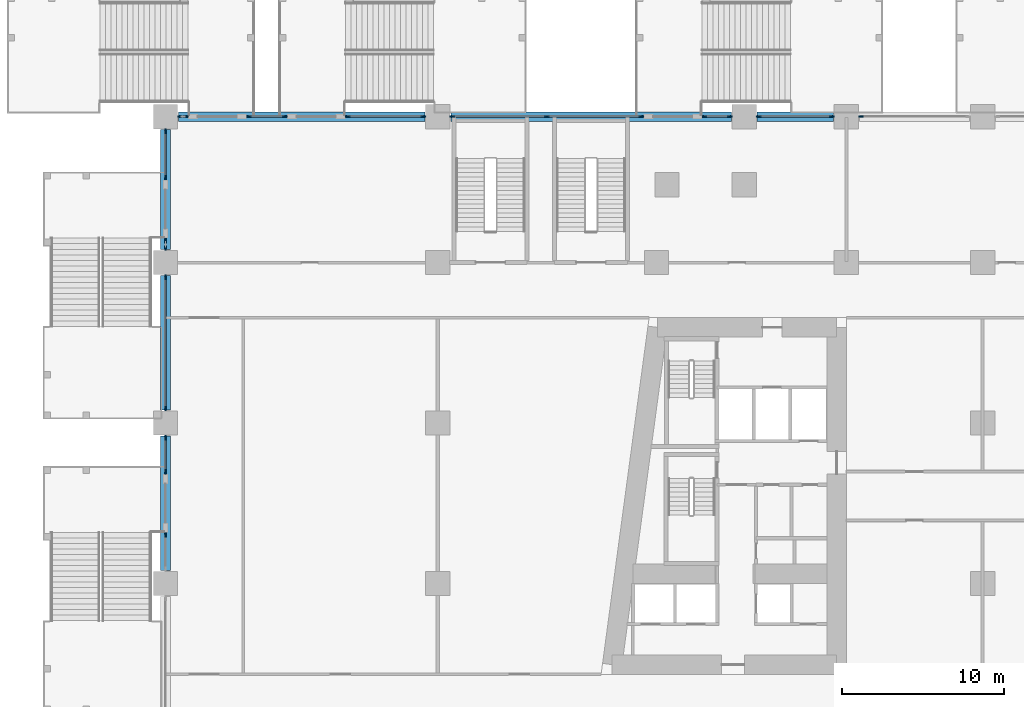
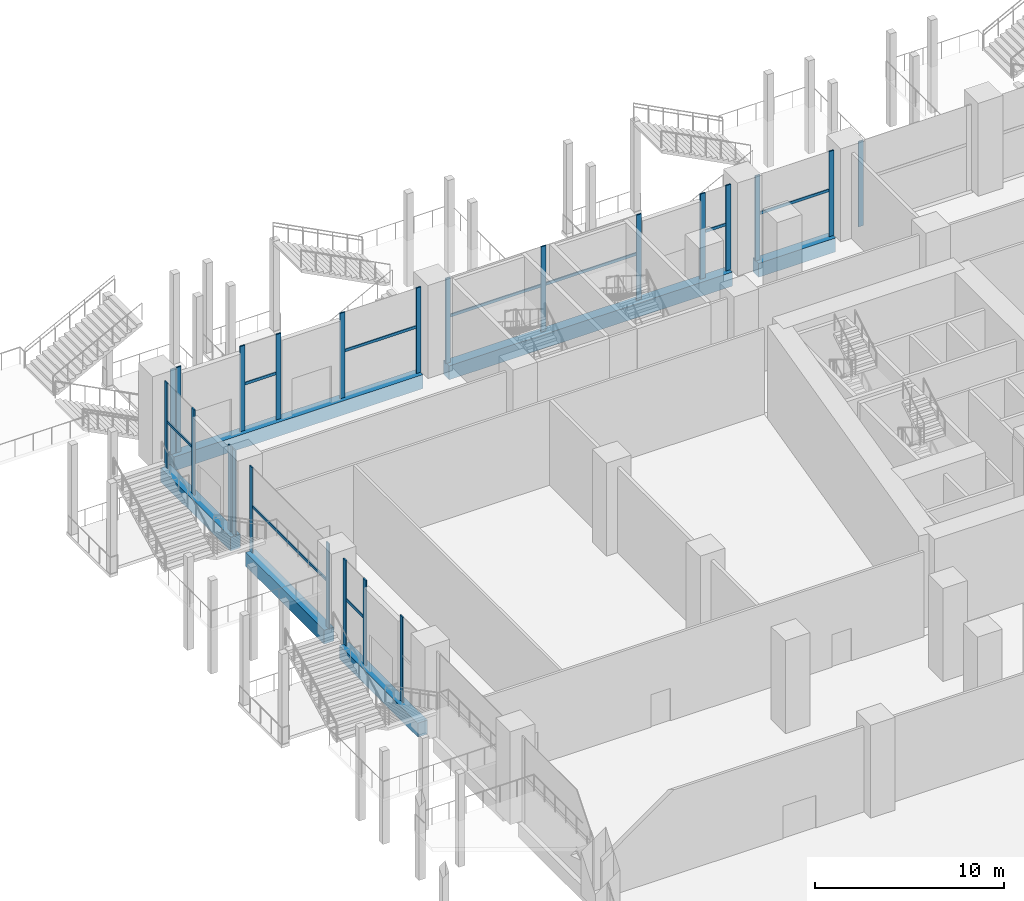
# One storey, part 10 of 49: 32 members, 6 beams, 12 elements without a shape of their own.
"""IFC4 building model written with IfcOpenShell, lengths in metres."""

from ifc_helpers import new_model, si_unit, direction, frame, origin, origin_2d, place, context, subcontext, project, spatial, rectangle, extrude, material, material_profile, profile_set, type_object, element, aggregate, save


model = new_model("IFC4")

# Units and contexts
model_context = context("Model", 3, precision=1e-05, world=origin(), true_north=direction((0.0, 1.0)))
body_context = subcontext(model_context, "Body", "Model", "MODEL_VIEW")
ifc_project = project(units=[si_unit("LENGTHUNIT", "METRE"), si_unit("AREAUNIT", "SQUARE_METRE"), si_unit("VOLUMEUNIT", "CUBIC_METRE"), si_unit("PLANEANGLEUNIT", "RADIAN"), si_unit("MASSUNIT", "GRAM", prefix="KILO")], contexts=[model_context])

# Site, building, storey
site_placement = place(None, origin())
site = spatial("IfcSite", under=ifc_project, at=site_placement, CompositionType="ELEMENT")
building_placement = place(site_placement, origin())
building = spatial("IfcBuilding", under=site, at=building_placement, Name="Candeia Pilgrim Tower and Theatre", CompositionType="ELEMENT")
storey_placement = place(building_placement, frame((0.0, 0.0, 17.0)))
storey = spatial("IfcBuildingStorey", under=building, at=storey_placement, Name="L02", CompositionType="ELEMENT", Elevation=17.0)

# Curtain wall, member
ifc_material_1 = material(Name="Aluminium framed podium glazing", Category="aluminium")
curtain_wall_type = type_object("IfcCurtainWallType", Name="CW-P curtain wall", PredefinedType="NOTDEFINED", material=ifc_material_1)
curtain_wall_1_placement = place(storey_placement, origin())
curtain_wall_1 = element("IfcCurtainWall", 1, at=curtain_wall_1_placement, inside=storey, type_object=curtain_wall_type, Name="Curtain wall CW-P L02.040", PredefinedType="NOTDEFINED")
ifc_material_2 = material(Name="Anodised aluminium", Category="aluminium")
ifc_material_profile_1 = material_profile(ifc_material_2, rectangle(XDim=0.080078125, YDim=0.300048828125, at=origin_2d()))
ifc_profile_set_1 = profile_set([ifc_material_profile_1], Name="Anodised aluminium")
member_type_1 = type_object("IfcMemberType", Name="CW-P mullion 80x300", PredefinedType="MULLION", material=ifc_profile_set_1)
member_1_placement = place(storey_placement, frame((58.800048828125, 119.0, 0.0), z_axis=(0.0, 0.0, 1.0), x_axis=(-1.0, 0.0, 0.0)))
member_1 = element("IfcMember", 2, at=member_1_placement, type_object=member_type_1, Name="CW-P mullion 2", PredefinedType="MULLION", context=body_context, shape_type="SweptSolid", body=[
    extrude(rectangle(XDim=0.080078125, YDim=0.300048828125, at=origin_2d()), origin(), (0.0, 0.0, 1.0), 5.5),
])
aggregate(curtain_wall_1, [member_1])

# Curtain wall, members
curtain_wall_2_placement = place(storey_placement, origin())
curtain_wall_2 = element("IfcCurtainWall", 3, at=curtain_wall_2_placement, inside=storey, type_object=curtain_wall_type, Name="Curtain wall CW-P L02.041", PredefinedType="NOTDEFINED")
member_2_placement = place(storey_placement, frame((58.800048828125, 122.89990234375, 0.0), z_axis=(0.0, 0.0, 1.0), x_axis=(-1.0, 0.0, 0.0)))
member_2 = element("IfcMember", 4, at=member_2_placement, type_object=member_type_1, Name="CW-P mullion 1", PredefinedType="MULLION", context=body_context, shape_type="SweptSolid", body=[
    extrude(rectangle(XDim=0.080078125, YDim=0.300048828125, at=origin_2d()), origin(), (0.0, 0.0, 1.0), 5.5),
])
member_3_placement = place(storey_placement, frame((58.800048828125, 125.0, 0.0), z_axis=(0.0, 0.0, 1.0), x_axis=(-1.0, 0.0, 0.0)))
member_3 = element("IfcMember", 5, at=member_3_placement, type_object=member_type_1, Name="CW-P mullion 2", PredefinedType="MULLION", context=body_context, shape_type="SweptSolid", body=[
    extrude(rectangle(XDim=0.080078125, YDim=0.300048828125, at=origin_2d()), origin(), (0.0, 0.0, 1.0), 5.5),
])

curtain_wall_3_placement = place(storey_placement, origin())
curtain_wall_3 = element("IfcCurtainWall", 6, at=curtain_wall_3_placement, inside=storey, type_object=curtain_wall_type, Name="Curtain wall CW-P L02.050", PredefinedType="NOTDEFINED")
member_4_placement = place(storey_placement, frame((58.800048828125, 126.800048828125, 0.0), z_axis=(0.0, 0.0, 1.0), x_axis=(-1.0, 0.0, 0.0)))
member_4 = element("IfcMember", 7, at=member_4_placement, type_object=member_type_1, Name="CW-P mullion 1", PredefinedType="MULLION", context=body_context, shape_type="SweptSolid", body=[
    extrude(rectangle(XDim=0.080078125, YDim=0.300048828125, at=origin_2d()), origin(), (0.0, 0.0, 1.0), 5.5),
])
member_5_placement = place(storey_placement, frame((58.800048828125, 134.89990234375, 0.0), z_axis=(0.0, 0.0, 1.0), x_axis=(-1.0, 0.0, 0.0)))
member_5 = element("IfcMember", 8, at=member_5_placement, type_object=member_type_1, Name="CW-P mullion 2", PredefinedType="MULLION", context=body_context, shape_type="SweptSolid", body=[
    extrude(rectangle(XDim=0.080078125, YDim=0.300048828125, at=origin_2d()), origin(), (0.0, 0.0, 1.0), 5.5),
])

curtain_wall_4_placement = place(storey_placement, origin())
curtain_wall_4 = element("IfcCurtainWall", 9, at=curtain_wall_4_placement, inside=storey, type_object=curtain_wall_type, Name="Curtain wall CW-P L02.060", PredefinedType="NOTDEFINED")
member_6_placement = place(storey_placement, frame((58.800048828125, 136.699951171875, 0.0), z_axis=(0.0, 0.0, 1.0), x_axis=(-1.0, 0.0, 0.0)))
member_6 = element("IfcMember", 10, at=member_6_placement, type_object=member_type_1, Name="CW-P mullion 1", PredefinedType="MULLION", context=body_context, shape_type="SweptSolid", body=[
    extrude(rectangle(XDim=0.080078125, YDim=0.300048828125, at=origin_2d()), origin(), (0.0, 0.0, 1.0), 5.5),
])
member_7_placement = place(storey_placement, frame((58.800048828125, 137.14990234375, 0.0), z_axis=(0.0, 0.0, 1.0), x_axis=(-1.0, 0.0, 0.0)))
member_7 = element("IfcMember", 11, at=member_7_placement, type_object=member_type_1, Name="CW-P mullion 2", PredefinedType="MULLION", context=body_context, shape_type="SweptSolid", body=[
    extrude(rectangle(XDim=0.080078125, YDim=0.300048828125, at=origin_2d()), origin(), (0.0, 0.0, 1.0), 5.5),
])
aggregate(curtain_wall_4, [member_6, member_7])

curtain_wall_5_placement = place(storey_placement, origin())
curtain_wall_5 = element("IfcCurtainWall", 12, at=curtain_wall_5_placement, inside=storey, type_object=curtain_wall_type, Name="Curtain wall CW-P L02.061", PredefinedType="NOTDEFINED")
member_8_placement = place(storey_placement, frame((58.800048828125, 141.050048828125, 0.0), z_axis=(0.0, 0.0, 1.0), x_axis=(-1.0, 0.0, 0.0)))
member_8 = element("IfcMember", 13, at=member_8_placement, type_object=member_type_1, Name="CW-P mullion 1", PredefinedType="MULLION", context=body_context, shape_type="SweptSolid", body=[
    extrude(rectangle(XDim=0.080078125, YDim=0.300048828125, at=origin_2d()), origin(), (0.0, 0.0, 1.0), 5.5),
])
member_9_placement = place(storey_placement, frame((58.800048828125, 143.89990234375, 0.0), z_axis=(0.0, 0.0, 1.0), x_axis=(-1.0, 0.0, 0.0)))
member_9 = element("IfcMember", 14, at=member_9_placement, type_object=member_type_1, Name="CW-P mullion 2", PredefinedType="MULLION", context=body_context, shape_type="SweptSolid", body=[
    extrude(rectangle(XDim=0.080078125, YDim=0.300048828125, at=origin_2d()), origin(), (0.0, 0.0, 1.0), 5.5),
])

curtain_wall_6_placement = place(storey_placement, origin())
curtain_wall_6 = element("IfcCurtainWall", 15, at=curtain_wall_6_placement, inside=storey, type_object=curtain_wall_type, Name="Curtain wall CW-P L02.100", PredefinedType="NOTDEFINED")
member_10_placement = place(storey_placement, frame((59.699951171875, 144.800048828125, 0.0), z_axis=(0.0, 0.0, 1.0), x_axis=(0.0, 1.0, 0.0)))
member_10 = element("IfcMember", 16, at=member_10_placement, type_object=member_type_1, Name="CW-P mullion 1", PredefinedType="MULLION", context=body_context, shape_type="SweptSolid", body=[
    extrude(rectangle(XDim=0.080078125, YDim=0.300048828125, at=origin_2d()), origin(), (0.0, 0.0, 1.0), 5.5),
])
member_11_placement = place(storey_placement, frame((60.050048828125, 144.800048828125, 0.0), z_axis=(0.0, 0.0, 1.0), x_axis=(0.0, 1.0, 0.0)))
member_11 = element("IfcMember", 17, at=member_11_placement, type_object=member_type_1, Name="CW-P mullion 2", PredefinedType="MULLION", context=body_context, shape_type="SweptSolid", body=[
    extrude(rectangle(XDim=0.080078125, YDim=0.300048828125, at=origin_2d()), origin(), (0.0, 0.0, 1.0), 5.5),
])
aggregate(curtain_wall_6, [member_10, member_11])

curtain_wall_7_placement = place(storey_placement, origin())
curtain_wall_7 = element("IfcCurtainWall", 18, at=curtain_wall_7_placement, inside=storey, type_object=curtain_wall_type, Name="Curtain wall CW-P L02.101", PredefinedType="NOTDEFINED")
member_12_placement = place(storey_placement, frame((63.949951171875, 144.800048828125, 0.0), z_axis=(0.0, 0.0, 1.0), x_axis=(0.0, 1.0, 0.0)))
member_12 = element("IfcMember", 19, at=member_12_placement, type_object=member_type_1, Name="CW-P mullion 1", PredefinedType="MULLION", context=body_context, shape_type="SweptSolid", body=[
    extrude(rectangle(XDim=0.080078125, YDim=0.300048828125, at=origin_2d()), origin(), (0.0, 0.0, 1.0), 5.5),
])
member_13_placement = place(storey_placement, frame((66.14990234375, 144.800048828125, 0.0), z_axis=(0.0, 0.0, 1.0), x_axis=(0.0, 1.0, 0.0)))
member_13 = element("IfcMember", 20, at=member_13_placement, type_object=member_type_1, Name="CW-P mullion 2", PredefinedType="MULLION", context=body_context, shape_type="SweptSolid", body=[
    extrude(rectangle(XDim=0.080078125, YDim=0.300048828125, at=origin_2d()), origin(), (0.0, 0.0, 1.0), 5.5),
])

curtain_wall_8_placement = place(storey_placement, origin())
curtain_wall_8 = element("IfcCurtainWall", 21, at=curtain_wall_8_placement, inside=storey, type_object=curtain_wall_type, Name="Curtain wall CW-P L02.102", PredefinedType="NOTDEFINED")
member_14_placement = place(storey_placement, frame((70.050048828125, 144.800048828125, 0.0), z_axis=(0.0, 0.0, 1.0), x_axis=(0.0, 1.0, 0.0)))
member_14 = element("IfcMember", 22, at=member_14_placement, type_object=member_type_1, Name="CW-P mullion 1", PredefinedType="MULLION", context=body_context, shape_type="SweptSolid", body=[
    extrude(rectangle(XDim=0.080078125, YDim=0.300048828125, at=origin_2d()), origin(), (0.0, 0.0, 1.0), 5.5),
])
member_15_placement = place(storey_placement, frame((74.699951171875, 144.800048828125, 0.0), z_axis=(0.0, 0.0, 1.0), x_axis=(0.0, 1.0, 0.0)))
member_15 = element("IfcMember", 23, at=member_15_placement, type_object=member_type_1, Name="CW-P mullion 2", PredefinedType="MULLION", context=body_context, shape_type="SweptSolid", body=[
    extrude(rectangle(XDim=0.080078125, YDim=0.300048828125, at=origin_2d()), origin(), (0.0, 0.0, 1.0), 5.5),
])

curtain_wall_9_placement = place(storey_placement, origin())
curtain_wall_9 = element("IfcCurtainWall", 24, at=curtain_wall_9_placement, inside=storey, type_object=curtain_wall_type, Name="Curtain wall CW-P L02.110", PredefinedType="NOTDEFINED")
member_16_placement = place(storey_placement, frame((76.5, 144.800048828125, 0.0), z_axis=(0.0, 0.0, 1.0), x_axis=(0.0, 1.0, 0.0)))
member_16 = element("IfcMember", 25, at=member_16_placement, type_object=member_type_1, Name="CW-P mullion 1", PredefinedType="MULLION", context=body_context, shape_type="SweptSolid", body=[
    extrude(rectangle(XDim=0.080078125, YDim=0.300048828125, at=origin_2d()), origin(), (0.0, 0.0, 1.0), 5.5),
])
member_17_placement = place(storey_placement, frame((82.324951171875, 144.800048828125, 0.0), z_axis=(0.0, 0.0, 1.0), x_axis=(0.0, 1.0, 0.0)))
member_17 = element("IfcMember", 26, at=member_17_placement, type_object=member_type_1, Name="CW-P mullion 2", PredefinedType="MULLION", context=body_context, shape_type="SweptSolid", body=[
    extrude(rectangle(XDim=0.080078125, YDim=0.300048828125, at=origin_2d()), origin(), (0.0, 0.0, 1.0), 5.5),
])
member_18_placement = place(storey_placement, frame((88.14990234375, 144.800048828125, 0.0), z_axis=(0.0, 0.0, 1.0), x_axis=(0.0, 1.0, 0.0)))
member_18 = element("IfcMember", 27, at=member_18_placement, type_object=member_type_1, Name="CW-P mullion 3", PredefinedType="MULLION", context=body_context, shape_type="SweptSolid", body=[
    extrude(rectangle(XDim=0.080078125, YDim=0.300048828125, at=origin_2d()), origin(), (0.0, 0.0, 1.0), 5.5),
])

curtain_wall_10_placement = place(storey_placement, origin())
curtain_wall_10 = element("IfcCurtainWall", 28, at=curtain_wall_10_placement, inside=storey, type_object=curtain_wall_type, Name="Curtain wall CW-P L02.111", PredefinedType="NOTDEFINED")
member_19_placement = place(storey_placement, frame((92.050048828125, 144.800048828125, 0.0), z_axis=(0.0, 0.0, 1.0), x_axis=(0.0, 1.0, 0.0)))
member_19 = element("IfcMember", 29, at=member_19_placement, type_object=member_type_1, Name="CW-P mullion 1", PredefinedType="MULLION", context=body_context, shape_type="SweptSolid", body=[
    extrude(rectangle(XDim=0.080078125, YDim=0.300048828125, at=origin_2d()), origin(), (0.0, 0.0, 1.0), 5.5),
])
member_20_placement = place(storey_placement, frame((93.60009765625, 144.800048828125, 0.0), z_axis=(0.0, 0.0, 1.0), x_axis=(0.0, 1.0, 0.0)))
member_20 = element("IfcMember", 30, at=member_20_placement, type_object=member_type_1, Name="CW-P mullion 2", PredefinedType="MULLION", context=body_context, shape_type="SweptSolid", body=[
    extrude(rectangle(XDim=0.080078125, YDim=0.300048828125, at=origin_2d()), origin(), (0.0, 0.0, 1.0), 5.5),
])

curtain_wall_11_placement = place(storey_placement, origin())
curtain_wall_11 = element("IfcCurtainWall", 31, at=curtain_wall_11_placement, inside=storey, type_object=curtain_wall_type, Name="Curtain wall CW-P L02.120", PredefinedType="NOTDEFINED")
member_21_placement = place(storey_placement, frame((95.39990234375, 144.800048828125, 0.0), z_axis=(0.0, 0.0, 1.0), x_axis=(0.0, 1.0, 0.0)))
member_21 = element("IfcMember", 32, at=member_21_placement, type_object=member_type_1, Name="CW-P mullion 1", PredefinedType="MULLION", context=body_context, shape_type="SweptSolid", body=[
    extrude(rectangle(XDim=0.080078125, YDim=0.300048828125, at=origin_2d()), origin(), (0.0, 0.0, 1.0), 5.5),
])
member_22_placement = place(storey_placement, frame((99.89990234375, 144.800048828125, 0.0), z_axis=(0.0, 0.0, 1.0), x_axis=(0.0, 1.0, 0.0)))
member_22 = element("IfcMember", 33, at=member_22_placement, type_object=member_type_1, Name="CW-P mullion 2", PredefinedType="MULLION", context=body_context, shape_type="SweptSolid", body=[
    extrude(rectangle(XDim=0.080078125, YDim=0.300048828125, at=origin_2d()), origin(), (0.0, 0.0, 1.0), 5.5),
])

# Curtain wall, member
curtain_wall_12_placement = place(storey_placement, origin())
curtain_wall_12 = element("IfcCurtainWall", 34, at=curtain_wall_12_placement, inside=storey, type_object=curtain_wall_type, Name="Curtain wall CW-P L02.130", PredefinedType="NOTDEFINED")
member_23_placement = place(storey_placement, frame((101.699951171875, 144.800048828125, 0.0), z_axis=(0.0, 0.0, 1.0), x_axis=(0.0, 1.0, 0.0)))
member_23 = element("IfcMember", 35, at=member_23_placement, type_object=member_type_1, Name="CW-P mullion 1", PredefinedType="MULLION", context=body_context, shape_type="SweptSolid", body=[
    extrude(rectangle(XDim=0.080078125, YDim=0.300048828125, at=origin_2d()), origin(), (0.0, 0.0, 1.0), 5.5),
])
aggregate(curtain_wall_12, [member_23])

# Member
ifc_material_profile_2 = material_profile(ifc_material_2, rectangle(XDim=0.080078125, YDim=0.179931640625, at=origin_2d()))
ifc_profile_set_2 = profile_set([ifc_material_profile_2], Name="Anodised aluminium")
member_type_2 = type_object("IfcMemberType", Name="CW-P transom 80x180", PredefinedType="USERDEFINED", material=ifc_profile_set_2)
member_24_placement = place(storey_placement, frame((58.800048828125, 122.93994140625, 3.0), z_axis=(0.0, 1.0, 0.0), x_axis=(-1.0, 0.0, 0.0)))
member_24 = element("IfcMember", 36, at=member_24_placement, type_object=member_type_2, Name="CW-P transom 1.1", ObjectType="TRANSOM", PredefinedType="USERDEFINED", context=body_context, shape_type="SweptSolid", body=[
    extrude(rectangle(XDim=0.080078125, YDim=0.179931640625, at=origin_2d()), origin(), (0.0, 0.0, 1.0), 2.02001953125),
])

aggregate(curtain_wall_2, [member_2, member_3, member_24])

member_25_placement = place(storey_placement, frame((58.800048828125, 126.840087890625, 3.0), z_axis=(0.0, 1.0, 0.0), x_axis=(-1.0, 0.0, 0.0)))
member_25 = element("IfcMember", 37, at=member_25_placement, type_object=member_type_2, Name="CW-P transom 1.1", ObjectType="TRANSOM", PredefinedType="USERDEFINED", context=body_context, shape_type="SweptSolid", body=[
    extrude(rectangle(XDim=0.080078125, YDim=0.179931640625, at=origin_2d()), origin(), (0.0, 0.0, 1.0), 8.02001953125),
])

aggregate(curtain_wall_3, [member_4, member_5, member_25])

member_26_placement = place(storey_placement, frame((58.800048828125, 141.090087890625, 3.0), z_axis=(0.0, 1.0, 0.0), x_axis=(-1.0, 0.0, 0.0)))
member_26 = element("IfcMember", 38, at=member_26_placement, type_object=member_type_2, Name="CW-P transom 1.1", ObjectType="TRANSOM", PredefinedType="USERDEFINED", context=body_context, shape_type="SweptSolid", body=[
    extrude(rectangle(XDim=0.080078125, YDim=0.179931640625, at=origin_2d()), origin(), (0.0, 0.0, 1.0), 2.77001953125),
])

aggregate(curtain_wall_5, [member_8, member_9, member_26])

member_27_placement = place(storey_placement, frame((63.989990234375, 144.800048828125, 3.0), z_axis=(1.0, 0.0, 0.0), x_axis=(0.0, 1.0, 0.0)))
member_27 = element("IfcMember", 39, at=member_27_placement, type_object=member_type_2, Name="CW-P transom 1.1", ObjectType="TRANSOM", PredefinedType="USERDEFINED", context=body_context, shape_type="SweptSolid", body=[
    extrude(rectangle(XDim=0.080078125, YDim=0.179931640625, at=origin_2d()), origin(), (0.0, 0.0, 1.0), 2.1201171875),
])

aggregate(curtain_wall_7, [member_12, member_13, member_27])

member_28_placement = place(storey_placement, frame((70.090087890625, 144.800048828125, 3.0), z_axis=(1.0, 0.0, 0.0), x_axis=(0.0, 1.0, 0.0)))
member_28 = element("IfcMember", 40, at=member_28_placement, type_object=member_type_2, Name="CW-P transom 1.1", ObjectType="TRANSOM", PredefinedType="USERDEFINED", context=body_context, shape_type="SweptSolid", body=[
    extrude(rectangle(XDim=0.080078125, YDim=0.179931640625, at=origin_2d()), origin(), (0.0, 0.0, 1.0), 4.56982421875),
])

aggregate(curtain_wall_8, [member_14, member_15, member_28])

member_29_placement = place(storey_placement, frame((76.5400390625, 144.800048828125, 3.0), z_axis=(1.0, 0.0, 0.0), x_axis=(0.0, 1.0, 0.0)))
member_29 = element("IfcMember", 41, at=member_29_placement, type_object=member_type_2, Name="CW-P transom 1.1", ObjectType="TRANSOM", PredefinedType="USERDEFINED", context=body_context, shape_type="SweptSolid", body=[
    extrude(rectangle(XDim=0.080078125, YDim=0.179931640625, at=origin_2d()), origin(), (0.0, 0.0, 1.0), 5.744873046875),
])

member_30_placement = place(storey_placement, frame((82.364990234375, 144.800048828125, 3.0), z_axis=(1.0, 0.0, 0.0), x_axis=(0.0, 1.0, 0.0)))
member_30 = element("IfcMember", 42, at=member_30_placement, type_object=member_type_2, Name="CW-P transom 2.1", ObjectType="TRANSOM", PredefinedType="USERDEFINED", context=body_context, shape_type="SweptSolid", body=[
    extrude(rectangle(XDim=0.080078125, YDim=0.179931640625, at=origin_2d()), origin(), (0.0, 0.0, 1.0), 5.7451171875),
])

aggregate(curtain_wall_9, [member_16, member_17, member_18, member_29, member_30])

member_31_placement = place(storey_placement, frame((92.090087890625, 144.800048828125, 3.0), z_axis=(1.0, 0.0, 0.0), x_axis=(0.0, 1.0, 0.0)))
member_31 = element("IfcMember", 43, at=member_31_placement, type_object=member_type_2, Name="CW-P transom 1.1", ObjectType="TRANSOM", PredefinedType="USERDEFINED", context=body_context, shape_type="SweptSolid", body=[
    extrude(rectangle(XDim=0.080078125, YDim=0.179931640625, at=origin_2d()), origin(), (0.0, 0.0, 1.0), 1.469970703125),
])

aggregate(curtain_wall_10, [member_19, member_20, member_31])

member_32_placement = place(storey_placement, frame((95.43994140625, 144.800048828125, 3.0), z_axis=(1.0, 0.0, 0.0), x_axis=(0.0, 1.0, 0.0)))
member_32 = element("IfcMember", 44, at=member_32_placement, type_object=member_type_2, Name="CW-P transom 1.1", ObjectType="TRANSOM", PredefinedType="USERDEFINED", context=body_context, shape_type="SweptSolid", body=[
    extrude(rectangle(XDim=0.080078125, YDim=0.179931640625, at=origin_2d()), origin(), (0.0, 0.0, 1.0), 4.420166015625),
])

aggregate(curtain_wall_11, [member_21, member_22, member_32])

# Beams
ifc_material_3 = material(Name="Concrete C80/95", Category="concrete")
ifc_material_profile_3 = material_profile(ifc_material_3, rectangle(XDim=0.60009765625, YDim=0.89990234375, at=origin_2d()))
ifc_profile_set_3 = profile_set([ifc_material_profile_3], Name="Concrete C80/95")
beam_type = type_object("IfcBeamType", Name="RC 600x900 C80/95", PredefinedType="BEAM", material=ifc_profile_set_3)
beam_1_placement = place(storey_placement, frame((100.0, 144.800048828125, -0.449951171875), z_axis=(-1.0, 0.0, 0.0), x_axis=(0.0, -1.0, 0.0)))
element("IfcBeam", 45, at=beam_1_placement, inside=storey, type_object=beam_type, Name="Spandrel beam L02-13", PredefinedType="BEAM", context=body_context, shape_type="SweptSolid", body=[
    extrude(rectangle(XDim=0.60009765625, YDim=0.89990234375, at=origin_2d()), origin(), (0.0, 0.0, 1.0), 4.699951171875),
])
beam_2_placement = place(storey_placement, frame((93.699951171875, 144.800048828125, -0.449951171875), z_axis=(-1.0, 0.0, 0.0), x_axis=(0.0, -1.0, 0.0)))
element("IfcBeam", 46, at=beam_2_placement, inside=storey, type_object=beam_type, Name="Spandrel beam L02-14", PredefinedType="BEAM", context=body_context, shape_type="SweptSolid", body=[
    extrude(rectangle(XDim=0.60009765625, YDim=0.89990234375, at=origin_2d()), origin(), (0.0, 0.0, 1.0), 17.300048828125),
])
beam_3_placement = place(storey_placement, frame((74.800048828125, 144.800048828125, -0.449951171875), z_axis=(-1.0, 0.0, 0.0), x_axis=(0.0, -1.0, 0.0)))
element("IfcBeam", 47, at=beam_3_placement, inside=storey, type_object=beam_type, Name="Spandrel beam L02-15", PredefinedType="BEAM", context=body_context, shape_type="SweptSolid", body=[
    extrude(rectangle(XDim=0.60009765625, YDim=0.89990234375, at=origin_2d()), origin(), (0.0, 0.0, 1.0), 15.199951171875),
])
beam_4_placement = place(storey_placement, frame((58.800048828125, 144.0, -0.449951171875), z_axis=(0.0, -1.0, 0.0), x_axis=(1.0, 0.0, 0.0)))
element("IfcBeam", 48, at=beam_4_placement, inside=storey, type_object=beam_type, Name="Spandrel beam L02-16", PredefinedType="BEAM", context=body_context, shape_type="SweptSolid", body=[
    extrude(rectangle(XDim=0.60009765625, YDim=0.89990234375, at=origin_2d()), origin(), (0.0, 0.0, 1.0), 7.39990234375),
])
for number, where, z_axis, x_axis, name in (
    (49, (58.800048828125, 135.0, -0.449951171875), (0.0, -1.0, 0.0), (1.0, 0.0, 0.0), "Spandrel beam L02-17"),
    (50, (58.800048828125, 125.10009765625, -0.449951171875), (0.0, -1.0, 0.0), (1.0, 0.0, 0.0), "Spandrel beam L02-18"),
):
    element("IfcBeam", number, at=place(storey_placement, frame(where, z_axis=z_axis, x_axis=x_axis)), inside=storey, type_object=beam_type, Name=name, PredefinedType="BEAM", context=body_context, shape_type="SweptSolid", body=[
        extrude(rectangle(XDim=0.60009765625, YDim=0.89990234375, at=origin_2d()), origin(), (0.0, 0.0, 1.0), 8.300048828125),
    ])

save(model, "model.ifc")
